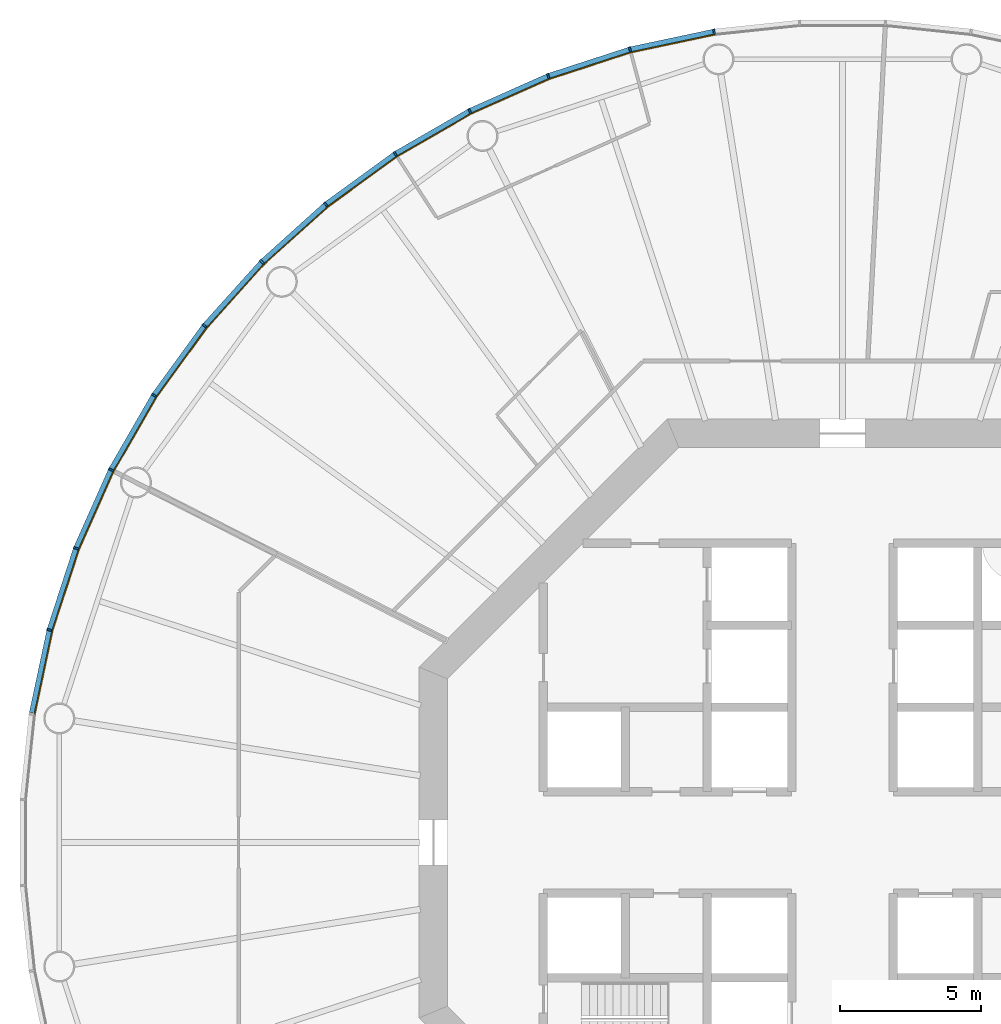
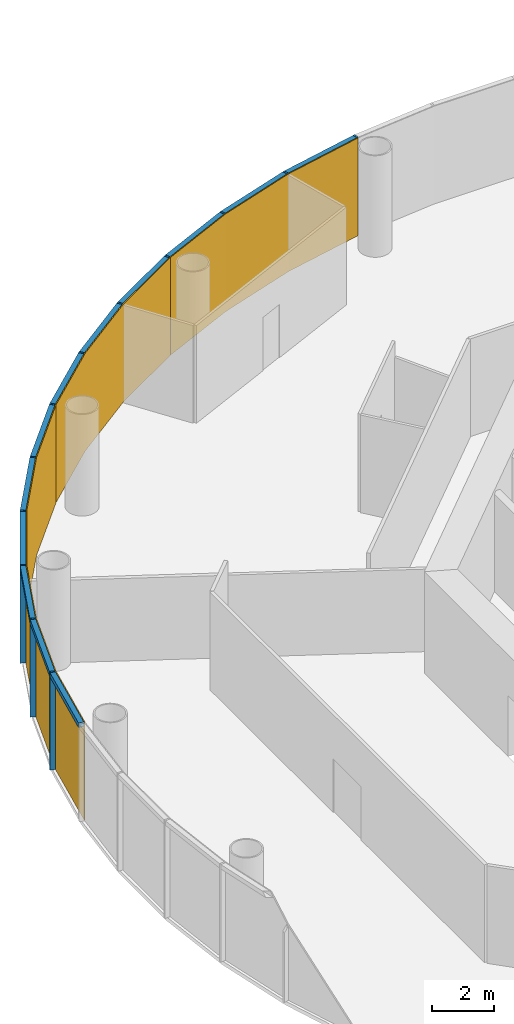
# One storey, part 10 of 13: 24 members, 4 curtain walls.
"""IFC4 building model written with IfcOpenShell, lengths in metres."""

from ifc_helpers import new_model, si_unit, direction, frame, origin, origin_2d, place, context, subcontext, project, spatial, polyline, rectangle, outline, extrude, material, layer, layer_set, material_profile, profile_set, type_object, element, aggregate, save


model = new_model("IFC4")

# Units and contexts
model_context = context("Model", 3, precision=1e-05, world=origin(), true_north=direction((0.0, 1.0)))
body_context = subcontext(model_context, "Body", "Model", "MODEL_VIEW")
ifc_project = project(units=[si_unit("LENGTHUNIT", "METRE"), si_unit("AREAUNIT", "SQUARE_METRE"), si_unit("VOLUMEUNIT", "CUBIC_METRE"), si_unit("PLANEANGLEUNIT", "RADIAN"), si_unit("MASSUNIT", "GRAM", prefix="KILO")], contexts=[model_context])

# Member
ifc_material_1 = material(Name="Anodised aluminium", Category="aluminium")
ifc_material_profile_1 = material_profile(ifc_material_1, rectangle(XDim=0.06494140625, YDim=0.18505859375, at=origin_2d()), Name="Mullion 65 x 185 mm anodised aluminium")
ifc_profile_set_1 = profile_set([ifc_material_profile_1], Name="Anodised aluminium")
member_type_1 = type_object("IfcMemberType", Name="Mullion 65 x 185 mm anodised aluminium", PredefinedType="MULLION", material=ifc_profile_set_1)
site_placement = place(None, origin())
building_placement = place(site_placement, origin())
storey_placement = place(building_placement, frame((0.0, 0.0, 168.0)))
member_1_placement = place(storey_placement, frame((85.448974609375, 108.734375, 0.0), z_axis=(0.0, 0.0, 1.0), x_axis=(-0.987688340595, -0.15643446504, 0.0)))
member_1 = element("IfcMember", 1, at=member_1_placement, type_object=member_type_1, Name="MULLION L38-15", PredefinedType="MULLION", context=body_context, shape_type="SweptSolid", body=[
    extrude(rectangle(XDim=0.06494140625, YDim=0.18505859375, at=origin_2d()), origin(), (0.0, 0.0, 1.0), 3.85009765625),
])

member_2_placement = place(storey_placement, frame((82.47021484375, 108.101318359375, 0.0), z_axis=(0.0, 0.0, 1.0), x_axis=(-0.965925826289, -0.258819045103, 0.0)))
member_2 = element("IfcMember", 2, at=member_2_placement, type_object=member_type_1, Name="MULLION L38-16", PredefinedType="MULLION", context=body_context, shape_type="SweptSolid", body=[
    extrude(rectangle(XDim=0.06494140625, YDim=0.18505859375, at=origin_2d()), origin(), (0.0, 0.0, 1.0), 3.85009765625),
])

member_3_placement = place(storey_placement, frame((79.57421875, 107.16015625, 0.0), z_axis=(0.0, 0.0, 1.0), x_axis=(-0.933580426497, -0.358367949545, 0.0)))
member_3 = element("IfcMember", 3, at=member_3_placement, type_object=member_type_1, Name="MULLION L38-17", PredefinedType="MULLION", context=body_context, shape_type="SweptSolid", body=[
    extrude(rectangle(XDim=0.06494140625, YDim=0.18505859375, at=origin_2d()), origin(), (0.0, 0.0, 1.0), 3.85009765625),
])

member_4_placement = place(storey_placement, frame((76.792236328125, 105.921630859375, 0.0), z_axis=(0.0, 0.0, 1.0), x_axis=(-0.891006524188, -0.45399049974, 0.0)))
member_4 = element("IfcMember", 4, at=member_4_placement, type_object=member_type_1, Name="MULLION L38-18", PredefinedType="MULLION", context=body_context, shape_type="SweptSolid", body=[
    extrude(rectangle(XDim=0.06494140625, YDim=0.18505859375, at=origin_2d()), origin(), (0.0, 0.0, 1.0), 3.85009765625),
])

member_5_placement = place(storey_placement, frame((74.155029296875, 104.39892578125, 0.0), z_axis=(0.0, 0.0, 1.0), x_axis=(-0.838670567945, -0.544639035015, 0.0)))
member_5 = element("IfcMember", 5, at=member_5_placement, type_object=member_type_1, Name="MULLION L38-19", PredefinedType="MULLION", context=body_context, shape_type="SweptSolid", body=[
    extrude(rectangle(XDim=0.06494140625, YDim=0.18505859375, at=origin_2d()), origin(), (0.0, 0.0, 1.0), 3.85009765625),
])

member_6_placement = place(storey_placement, frame((71.69140625, 102.609130859375, 0.0), z_axis=(0.0, 0.0, 1.0), x_axis=(-0.777145961457, -0.62932039105, 0.0)))
member_6 = element("IfcMember", 6, at=member_6_placement, type_object=member_type_1, Name="MULLION L38-20", PredefinedType="MULLION", context=body_context, shape_type="SweptSolid", body=[
    extrude(rectangle(XDim=0.06494140625, YDim=0.18505859375, at=origin_2d()), origin(), (0.0, 0.0, 1.0), 3.85009765625),
])

member_7_placement = place(storey_placement, frame((69.428466796875, 100.571533203125, 0.0), z_axis=(0.0, 0.0, 1.0), x_axis=(-0.707106781187, -0.707106781187, 0.0)))
member_7 = element("IfcMember", 7, at=member_7_placement, type_object=member_type_1, Name="MULLION L38-21", PredefinedType="MULLION", context=body_context, shape_type="SweptSolid", body=[
    extrude(rectangle(XDim=0.06494140625, YDim=0.18505859375, at=origin_2d()), origin(), (0.0, 0.0, 1.0), 3.85009765625),
])

member_8_placement = place(storey_placement, frame((67.390869140625, 98.30859375, 0.0), z_axis=(0.0, 0.0, 1.0), x_axis=(-0.62932039105, -0.777145961457, 0.0)))
member_8 = element("IfcMember", 8, at=member_8_placement, type_object=member_type_1, Name="MULLION L38-22", PredefinedType="MULLION", context=body_context, shape_type="SweptSolid", body=[
    extrude(rectangle(XDim=0.06494140625, YDim=0.18505859375, at=origin_2d()), origin(), (0.0, 0.0, 1.0), 3.85009765625),
])

member_9_placement = place(storey_placement, frame((65.60107421875, 95.844970703125, 0.0), z_axis=(0.0, 0.0, 1.0), x_axis=(-0.544639035015, -0.838670567945, 0.0)))
member_9 = element("IfcMember", 9, at=member_9_placement, type_object=member_type_1, Name="MULLION L38-23", PredefinedType="MULLION", context=body_context, shape_type="SweptSolid", body=[
    extrude(rectangle(XDim=0.06494140625, YDim=0.18505859375, at=origin_2d()), origin(), (0.0, 0.0, 1.0), 3.85009765625),
])

member_10_placement = place(storey_placement, frame((64.078369140625, 93.207763671875, 0.0), z_axis=(0.0, 0.0, 1.0), x_axis=(-0.45399049974, -0.891006524188, 0.0)))
member_10 = element("IfcMember", 10, at=member_10_placement, type_object=member_type_1, Name="MULLION L38-24", PredefinedType="MULLION", context=body_context, shape_type="SweptSolid", body=[
    extrude(rectangle(XDim=0.06494140625, YDim=0.18505859375, at=origin_2d()), origin(), (0.0, 0.0, 1.0), 3.85009765625),
])

member_11_placement = place(storey_placement, frame((62.83984375, 90.42578125, 0.0), z_axis=(0.0, 0.0, 1.0), x_axis=(-0.358367949545, -0.933580426497, 0.0)))
member_11 = element("IfcMember", 11, at=member_11_placement, type_object=member_type_1, Name="MULLION L38-25", PredefinedType="MULLION", context=body_context, shape_type="SweptSolid", body=[
    extrude(rectangle(XDim=0.06494140625, YDim=0.18505859375, at=origin_2d()), origin(), (0.0, 0.0, 1.0), 3.85009765625),
])

member_12_placement = place(storey_placement, frame((61.898681640625, 87.52978515625, 0.0), z_axis=(0.0, 0.0, 1.0), x_axis=(-0.258819045103, -0.965925826289, 0.0)))
member_12 = element("IfcMember", 12, at=member_12_placement, type_object=member_type_1, Name="MULLION L38-26", PredefinedType="MULLION", context=body_context, shape_type="SweptSolid", body=[
    extrude(rectangle(XDim=0.06494140625, YDim=0.18505859375, at=origin_2d()), origin(), (0.0, 0.0, 1.0), 3.85009765625),
])

ifc_material_2 = material(Name="Anodised aluminium", Category="aluminium")
ifc_material_profile_2 = material_profile(ifc_material_2, rectangle(XDim=0.18505859375, YDim=0.175048828125, at=origin_2d()), Name="Transom 175 x 185 mm anodised aluminium")
ifc_profile_set_2 = profile_set([ifc_material_profile_2], Name="Anodised aluminium")
member_type_2 = type_object("IfcMemberType", Name="Transom 175 x 185 mm anodised aluminium", PredefinedType="USERDEFINED", material=ifc_profile_set_2)
member_13_placement = place(storey_placement, frame((85.412353515625, 108.7265625, 3.762451171875), z_axis=(-0.97815822425, -0.207861704825, 0.0), x_axis=(0.207861704825, -0.97815822425, 0.0)))
member_13 = element("IfcMember", 13, at=member_13_placement, type_object=member_type_2, Name="TRANSOM L38-15", ObjectType="TRANSOM", PredefinedType="USERDEFINED", context=body_context, shape_type="SweptSolid", body=[
    extrude(rectangle(XDim=0.18505859375, YDim=0.175048828125, at=origin_2d()), origin(), (0.0, 0.0, 1.0), 2.970458984375),
])

member_14_placement = place(storey_placement, frame((82.434814453125, 108.08984375, 3.762451171875), z_axis=(-0.951055809184, -0.30901917063, 0.0), x_axis=(0.30901917063, -0.951055809184, 0.0)))
member_14 = element("IfcMember", 14, at=member_14_placement, type_object=member_type_2, Name="TRANSOM L38-16", ObjectType="TRANSOM", PredefinedType="USERDEFINED", context=body_context, shape_type="SweptSolid", body=[
    extrude(rectangle(XDim=0.18505859375, YDim=0.175048828125, at=origin_2d()), origin(), (0.0, 0.0, 1.0), 2.970703125),
])

member_15_placement = place(storey_placement, frame((79.5400390625, 107.14501953125, 3.762451171875), z_axis=(-0.913567348806, -0.406687471156, 0.0), x_axis=(0.406687471156, -0.913567348806, 0.0)))
member_15 = element("IfcMember", 15, at=member_15_placement, type_object=member_type_2, Name="TRANSOM L38-17", ObjectType="TRANSOM", PredefinedType="USERDEFINED", context=body_context, shape_type="SweptSolid", body=[
    extrude(rectangle(XDim=0.18505859375, YDim=0.175048828125, at=origin_2d()), origin(), (0.0, 0.0, 1.0), 2.970458984375),
])

member_16_placement = place(storey_placement, frame((76.759765625, 105.903076171875, 3.762451171875), z_axis=(-0.866009025146, -0.500028367561, 0.0), x_axis=(0.500028367561, -0.866009025146, 0.0)))
member_16 = element("IfcMember", 16, at=member_16_placement, type_object=member_type_2, Name="TRANSOM L38-18", ObjectType="TRANSOM", PredefinedType="USERDEFINED", context=body_context, shape_type="SweptSolid", body=[
    extrude(rectangle(XDim=0.18505859375, YDim=0.175048828125, at=origin_2d()), origin(), (0.0, 0.0, 1.0), 2.970458984375),
])

member_17_placement = place(storey_placement, frame((74.124755859375, 104.377197265625, 3.762451171875), z_axis=(-0.808991906087, -0.587819781808, 0.0), x_axis=(0.587819781808, -0.808991906087, 0.0)))
member_17 = element("IfcMember", 17, at=member_17_placement, type_object=member_type_2, Name="TRANSOM L38-19", ObjectType="TRANSOM", PredefinedType="USERDEFINED", context=body_context, shape_type="SweptSolid", body=[
    extrude(rectangle(XDim=0.18505859375, YDim=0.175048828125, at=origin_2d()), origin(), (0.0, 0.0, 1.0), 2.970458984375),
])

member_18_placement = place(storey_placement, frame((71.66357421875, 102.584228515625, 3.762451171875), z_axis=(-0.743163354343, -0.669110027395, 0.0), x_axis=(0.669110027395, -0.743163354343, 0.0)))
member_18 = element("IfcMember", 18, at=member_18_placement, type_object=member_type_2, Name="TRANSOM L38-20", ObjectType="TRANSOM", PredefinedType="USERDEFINED", context=body_context, shape_type="SweptSolid", body=[
    extrude(rectangle(XDim=0.18505859375, YDim=0.175048828125, at=origin_2d()), origin(), (0.0, 0.0, 1.0), 2.970458984375),
])

member_19_placement = place(storey_placement, frame((69.4033203125, 100.5439453125, 3.762451171875), z_axis=(-0.669110027395, -0.743163354343, 0.0), x_axis=(0.743163354343, -0.669110027395, 0.0)))
member_19 = element("IfcMember", 19, at=member_19_placement, type_object=member_type_2, Name="TRANSOM L38-21", ObjectType="TRANSOM", PredefinedType="USERDEFINED", context=body_context, shape_type="SweptSolid", body=[
    extrude(rectangle(XDim=0.18505859375, YDim=0.175048828125, at=origin_2d()), origin(), (0.0, 0.0, 1.0), 2.970458984375),
])

member_20_placement = place(storey_placement, frame((67.368896484375, 98.2783203125, 3.762451171875), z_axis=(-0.587819781808, -0.808991906087, 0.0), x_axis=(0.808991906087, -0.587819781808, 0.0)))
member_20 = element("IfcMember", 20, at=member_20_placement, type_object=member_type_2, Name="TRANSOM L38-22", ObjectType="TRANSOM", PredefinedType="USERDEFINED", context=body_context, shape_type="SweptSolid", body=[
    extrude(rectangle(XDim=0.18505859375, YDim=0.175048828125, at=origin_2d()), origin(), (0.0, 0.0, 1.0), 2.970458984375),
])

member_21_placement = place(storey_placement, frame((65.582275390625, 95.812744140625, 3.762451171875), z_axis=(-0.500028367561, -0.866009025146, 0.0), x_axis=(0.866009025146, -0.500028367561, 0.0)))
member_21 = element("IfcMember", 21, at=member_21_placement, type_object=member_type_2, Name="TRANSOM L38-23", ObjectType="TRANSOM", PredefinedType="USERDEFINED", context=body_context, shape_type="SweptSolid", body=[
    extrude(rectangle(XDim=0.18505859375, YDim=0.175048828125, at=origin_2d()), origin(), (0.0, 0.0, 1.0), 2.970458984375),
])

member_22_placement = place(storey_placement, frame((64.06298828125, 93.173583984375, 3.762451171875), z_axis=(-0.406687471156, -0.913567348806, 0.0), x_axis=(0.913567348806, -0.406687471156, 0.0)))
member_22 = element("IfcMember", 22, at=member_22_placement, type_object=member_type_2, Name="TRANSOM L38-24", ObjectType="TRANSOM", PredefinedType="USERDEFINED", context=body_context, shape_type="SweptSolid", body=[
    extrude(rectangle(XDim=0.18505859375, YDim=0.175048828125, at=origin_2d()), origin(), (0.0, 0.0, 1.0), 2.970458984375),
])

member_23_placement = place(storey_placement, frame((62.828125, 90.390380859375, 3.762451171875), z_axis=(-0.30901917063, -0.951055809184, 0.0), x_axis=(0.951055809184, -0.30901917063, 0.0)))
member_23 = element("IfcMember", 23, at=member_23_placement, type_object=member_type_2, Name="TRANSOM L38-25", ObjectType="TRANSOM", PredefinedType="USERDEFINED", context=body_context, shape_type="SweptSolid", body=[
    extrude(rectangle(XDim=0.18505859375, YDim=0.175048828125, at=origin_2d()), origin(), (0.0, 0.0, 1.0), 2.970703125),
])

member_24_placement = place(storey_placement, frame((61.890869140625, 87.4931640625, 3.762451171875), z_axis=(-0.207861704825, -0.97815822425, 0.0), x_axis=(0.97815822425, -0.207861704825, 0.0)))
member_24 = element("IfcMember", 24, at=member_24_placement, type_object=member_type_2, Name="TRANSOM L38-26", ObjectType="TRANSOM", PredefinedType="USERDEFINED", context=body_context, shape_type="SweptSolid", body=[
    extrude(rectangle(XDim=0.18505859375, YDim=0.175048828125, at=origin_2d()), origin(), (0.0, 0.0, 1.0), 2.970458984375),
])

# Site, building, storey
site = spatial("IfcSite", under=ifc_project, at=site_placement, CompositionType="ELEMENT")
building = spatial("IfcBuilding", under=site, at=building_placement, Name="Entoto Ring Tower", CompositionType="ELEMENT")
storey = spatial("IfcBuildingStorey", under=building, at=storey_placement, Name="L38", CompositionType="ELEMENT", Elevation=168.0)

# Curtain wall
ifc_material_3 = material(Name="Clear low-iron glass", Category="glass")
ifc_layer = layer(ifc_material_3, 0.033935546875)
ifc_layer_set = layer_set([ifc_layer], Name="Clear low-iron glass")
curtain_wall_type = type_object("IfcCurtainWallType", Name="Curtain wall system CW3 glazing 34 mm", PredefinedType="NOTDEFINED", material=ifc_layer_set)
curtain_wall_1_placement = place(storey_placement, origin())
curtain_wall_1 = element("IfcCurtainWall", 25, at=curtain_wall_1_placement, inside=storey, type_object=curtain_wall_type, Name="CW3 L38-06", PredefinedType="NOTDEFINED", context=body_context, shape_type="SweptSolid", body=[
    extrude(outline(polyline([(85.46337890625, 108.64306640625), (82.494140625, 108.011962890625), (79.607421875, 107.07373046875), (76.834228515625, 105.839111328125), (76.849853515625, 105.808837890625), (79.61962890625, 107.0419921875), (82.503173828125, 107.97900390625), (85.46875, 108.609375), (85.46337890625, 108.64306640625)])), origin(), (0.0, 0.0, 1.0), 3.85009765625),
])

aggregate(curtain_wall_1, [member_1, member_2, member_3, member_13, member_14, member_15])

curtain_wall_2_placement = place(storey_placement, origin())
curtain_wall_2 = element("IfcCurtainWall", 26, at=curtain_wall_2_placement, inside=storey, type_object=curtain_wall_type, Name="CW3 L38-07", PredefinedType="NOTDEFINED", context=body_context, shape_type="SweptSolid", body=[
    extrude(outline(polyline([(76.834228515625, 105.839111328125), (74.20556640625, 104.321533203125), (71.749755859375, 102.537353515625), (69.493896484375, 100.506103515625), (69.51806640625, 100.48193359375), (71.771240234375, 102.5107421875), (74.22412109375, 104.29296875), (76.849853515625, 105.808837890625), (76.834228515625, 105.839111328125)])), origin(), (0.0, 0.0, 1.0), 3.85009765625),
])

aggregate(curtain_wall_2, [member_4, member_5, member_6, member_16, member_17, member_18])

curtain_wall_3_placement = place(storey_placement, origin())
curtain_wall_3 = element("IfcCurtainWall", 27, at=curtain_wall_3_placement, inside=storey, type_object=curtain_wall_type, Name="CW3 L38-08", PredefinedType="NOTDEFINED", context=body_context, shape_type="SweptSolid", body=[
    extrude(outline(polyline([(69.493896484375, 100.506103515625), (67.462646484375, 98.250244140625), (65.678466796875, 95.79443359375), (64.160888671875, 93.165771484375), (64.191162109375, 93.150146484375), (65.70703125, 95.77587890625), (67.4892578125, 98.228759765625), (69.51806640625, 100.48193359375), (69.493896484375, 100.506103515625)])), origin(), (0.0, 0.0, 1.0), 3.85009765625),
])

aggregate(curtain_wall_3, [member_7, member_8, member_9, member_19, member_20, member_21])

curtain_wall_4_placement = place(storey_placement, origin())
curtain_wall_4 = element("IfcCurtainWall", 28, at=curtain_wall_4_placement, inside=storey, type_object=curtain_wall_type, Name="CW3 L38-09", PredefinedType="NOTDEFINED", context=body_context, shape_type="SweptSolid", body=[
    extrude(outline(polyline([(64.160888671875, 93.165771484375), (62.92626953125, 90.392578125), (61.988037109375, 87.505859375), (61.35693359375, 84.53662109375), (61.390625, 84.53125), (62.02099609375, 87.496826171875), (62.9580078125, 90.38037109375), (64.191162109375, 93.150146484375), (64.160888671875, 93.165771484375)])), origin(), (0.0, 0.0, 1.0), 3.85009765625),
])

aggregate(curtain_wall_4, [member_10, member_11, member_12, member_22, member_23, member_24])

save(model, "model.ifc")
